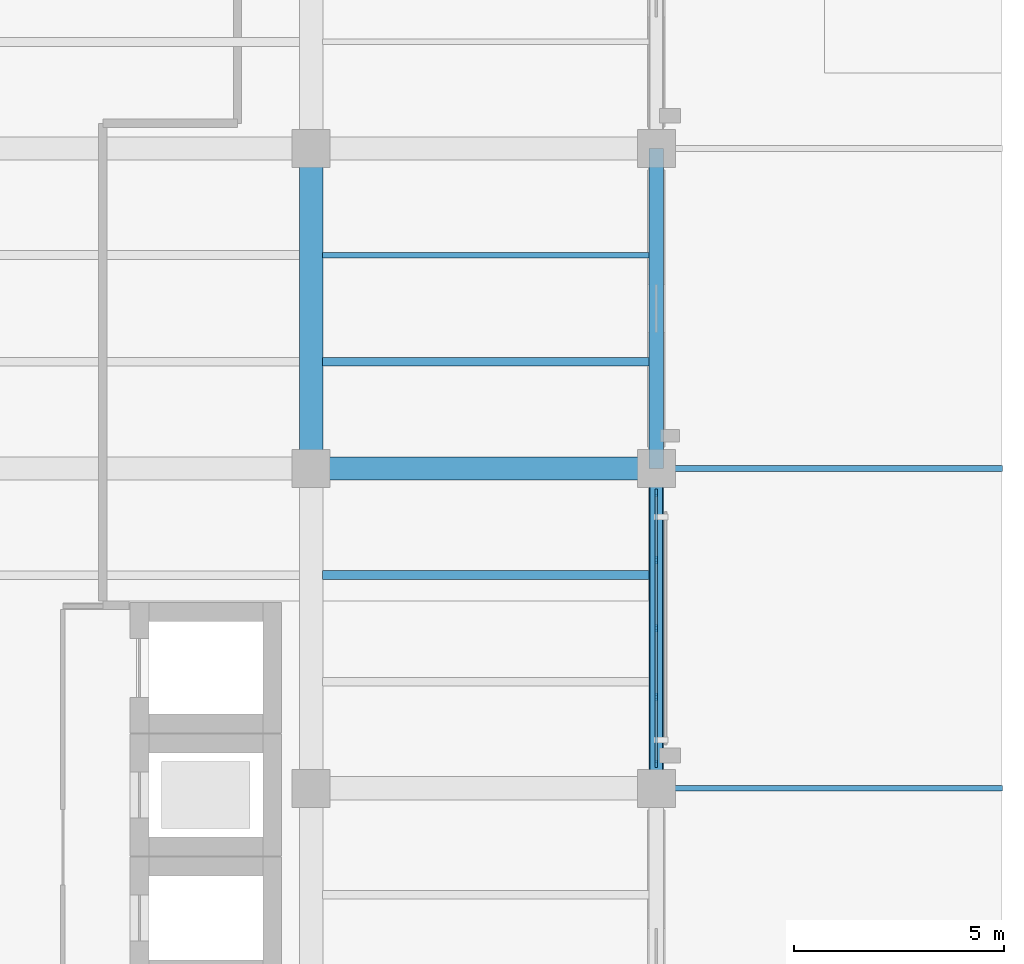
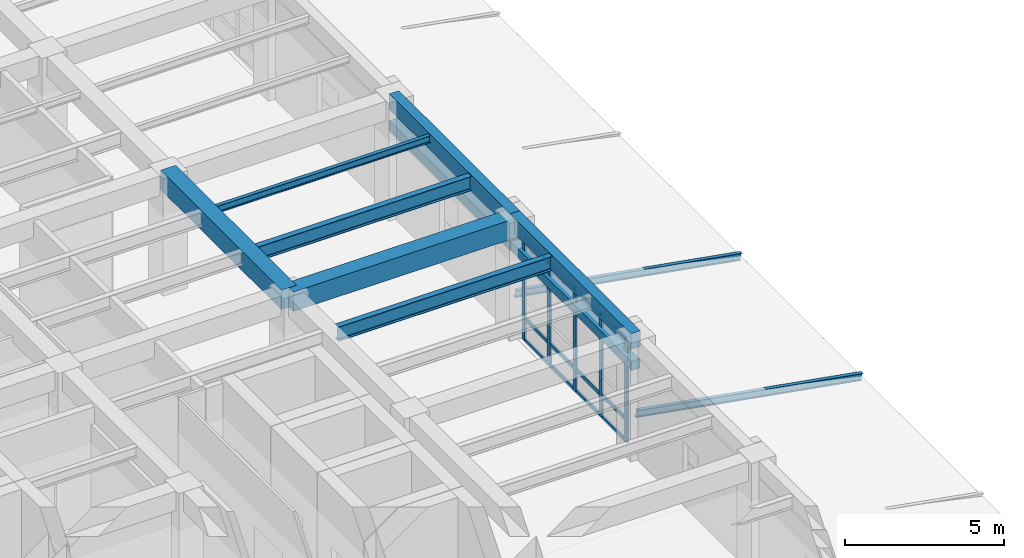
# One storey, part 21 of 57: 19 members, 9 beams, 1 element without a shape of its own.
"""IFC4 building model written with IfcOpenShell, lengths in metres."""

from ifc_helpers import new_model, si_unit, direction, frame, origin, origin_2d, place, context, subcontext, project, spatial, rectangle, i_section, extrude, material, material_profile, profile_set, type_object, element, aggregate, save


model = new_model("IFC4")

# Units and contexts
model_context = context("Model", 3, precision=1e-05, world=origin(), true_north=direction((0.0, 1.0)))
body_context = subcontext(model_context, "Body", "Model", "MODEL_VIEW")
ifc_project = project(units=[si_unit("LENGTHUNIT", "METRE"), si_unit("AREAUNIT", "SQUARE_METRE"), si_unit("VOLUMEUNIT", "CUBIC_METRE"), si_unit("PLANEANGLEUNIT", "RADIAN"), si_unit("MASSUNIT", "GRAM", prefix="KILO")], contexts=[model_context])

# Site, building, storey
site_placement = place(None, origin())
site = spatial("IfcSite", under=ifc_project, at=site_placement, CompositionType="ELEMENT")
building_placement = place(site_placement, origin())
building = spatial("IfcBuilding", under=site, at=building_placement, Name="Qandaris Square Conservatory and Botanical Centre", CompositionType="ELEMENT")
storey_placement = place(building_placement, frame((0.0, 0.0, 5.39990234375)))
storey = spatial("IfcBuildingStorey", under=building, at=storey_placement, Name="L01", CompositionType="ELEMENT", Elevation=5.39990234375)

# Curtain wall, members
ifc_material_1 = material(Name="Anodised Aluminium", Category="aluminium")
curtain_wall_type = type_object("IfcCurtainWallType", Name="Unitised Curtain Wall CW-4-650x394", PredefinedType="USERDEFINED", material=ifc_material_1)
curtain_wall_placement = place(storey_placement, origin())
curtain_wall = element("IfcCurtainWall", 1, at=curtain_wall_placement, inside=storey, type_object=curtain_wall_type, Name="Curtain Wall CW-TWR-L01-2-3", ObjectType="GLAZED CURTAIN WALL", PredefinedType="USERDEFINED")
ifc_material_profile_1 = material_profile(ifc_material_1, rectangle(XDim=0.06494140625, YDim=0.179931640625, at=origin_2d()), Name="ALU-MUL 65x180")
ifc_profile_set_1 = profile_set([ifc_material_profile_1], Name="Anodised Aluminium")
member_type_1 = type_object("IfcMemberType", Name="Curtain Wall Mullion 65x180", PredefinedType="MULLION", material=ifc_profile_set_1)
member_1_placement = place(storey_placement, frame((163.800048828125, 32.382568359375, 0.0), z_axis=(0.0, 0.0, 1.0), x_axis=(-1.0, 0.0, 0.0)))
member_1 = element("IfcMember", 2, at=member_1_placement, type_object=member_type_1, Name="CW-4-650x394 mullion 1", PredefinedType="MULLION", context=body_context, shape_type="SweptSolid", body=[
    extrude(rectangle(XDim=0.06494140625, YDim=0.179931640625, at=origin_2d()), origin(), (0.0, 0.0, 1.0), 3.945068359375),
])
member_2_placement = place(storey_placement, frame((163.800048828125, 33.97509765625, 0.0), z_axis=(0.0, 0.0, 1.0), x_axis=(-1.0, 0.0, 0.0)))
member_2 = element("IfcMember", 3, at=member_2_placement, type_object=member_type_1, Name="CW-4-650x394 mullion 2", PredefinedType="MULLION", context=body_context, shape_type="SweptSolid", body=[
    extrude(rectangle(XDim=0.06494140625, YDim=0.179931640625, at=origin_2d()), origin(), (0.0, 0.0, 1.0), 3.945068359375),
])
member_3_placement = place(storey_placement, frame((163.800048828125, 35.60009765625, 0.0), z_axis=(0.0, 0.0, 1.0), x_axis=(-1.0, 0.0, 0.0)))
member_3 = element("IfcMember", 4, at=member_3_placement, type_object=member_type_1, Name="CW-4-650x394 mullion 3", PredefinedType="MULLION", context=body_context, shape_type="SweptSolid", body=[
    extrude(rectangle(XDim=0.06494140625, YDim=0.179931640625, at=origin_2d()), origin(), (0.0, 0.0, 1.0), 3.945068359375),
])
member_4_placement = place(storey_placement, frame((163.800048828125, 37.22509765625, 0.0), z_axis=(0.0, 0.0, 1.0), x_axis=(-1.0, 0.0, 0.0)))
member_4 = element("IfcMember", 5, at=member_4_placement, type_object=member_type_1, Name="CW-4-650x394 mullion 4", PredefinedType="MULLION", context=body_context, shape_type="SweptSolid", body=[
    extrude(rectangle(XDim=0.06494140625, YDim=0.179931640625, at=origin_2d()), origin(), (0.0, 0.0, 1.0), 3.945068359375),
])
member_5_placement = place(storey_placement, frame((163.800048828125, 38.8173828125, 0.0), z_axis=(0.0, 0.0, 1.0), x_axis=(-1.0, 0.0, 0.0)))
member_5 = element("IfcMember", 6, at=member_5_placement, type_object=member_type_1, Name="CW-4-650x394 mullion 5", PredefinedType="MULLION", context=body_context, shape_type="SweptSolid", body=[
    extrude(rectangle(XDim=0.06494140625, YDim=0.179931640625, at=origin_2d()), origin(), (0.0, 0.0, 1.0), 3.945068359375),
])
ifc_material_profile_2 = material_profile(ifc_material_1, rectangle(XDim=0.06494140625, YDim=0.139892578125, at=origin_2d()), Name="ALU-TRN 65x140")
ifc_profile_set_2 = profile_set([ifc_material_profile_2], Name="Anodised Aluminium")
member_type_2 = type_object("IfcMemberType", Name="Curtain Wall Transom 65x140", PredefinedType="USERDEFINED", material=ifc_profile_set_2)
member_6_placement = place(storey_placement, frame((163.800048828125, 32.4150390625, 0.03271484375), z_axis=(0.0, 1.0, 0.0), x_axis=(-1.0, 0.0, 0.0)))
member_6 = element("IfcMember", 7, at=member_6_placement, type_object=member_type_2, Name="CW-4-650x394 transom 1.1", ObjectType="TRANSOM", PredefinedType="USERDEFINED", context=body_context, shape_type="SweptSolid", body=[
    extrude(rectangle(XDim=0.06494140625, YDim=0.139892578125, at=origin_2d()), origin(), (0.0, 0.0, 1.0), 1.52734375),
])
member_7_placement = place(storey_placement, frame((163.800048828125, 32.4150390625, 0.85009765625), z_axis=(0.0, 1.0, 0.0), x_axis=(-1.0, 0.0, 0.0)))
member_7 = element("IfcMember", 8, at=member_7_placement, type_object=member_type_2, Name="CW-4-650x394 transom 1.2", ObjectType="TRANSOM", PredefinedType="USERDEFINED", context=body_context, shape_type="SweptSolid", body=[
    extrude(rectangle(XDim=0.06494140625, YDim=0.139892578125, at=origin_2d()), origin(), (0.0, 0.0, 1.0), 1.52734375),
])
member_8_placement = place(storey_placement, frame((163.800048828125, 32.4150390625, 3.91259765625), z_axis=(0.0, 1.0, 0.0), x_axis=(-1.0, 0.0, 0.0)))
member_8 = element("IfcMember", 9, at=member_8_placement, type_object=member_type_2, Name="CW-4-650x394 transom 1.3", ObjectType="TRANSOM", PredefinedType="USERDEFINED", context=body_context, shape_type="SweptSolid", body=[
    extrude(rectangle(XDim=0.06494140625, YDim=0.139892578125, at=origin_2d()), origin(), (0.0, 0.0, 1.0), 1.52734375),
])
member_9_placement = place(storey_placement, frame((163.800048828125, 34.007568359375, 0.03271484375), z_axis=(0.0, 1.0, 0.0), x_axis=(-1.0, 0.0, 0.0)))
member_9 = element("IfcMember", 10, at=member_9_placement, type_object=member_type_2, Name="CW-4-650x394 transom 2.1", ObjectType="TRANSOM", PredefinedType="USERDEFINED", context=body_context, shape_type="SweptSolid", body=[
    extrude(rectangle(XDim=0.06494140625, YDim=0.139892578125, at=origin_2d()), origin(), (0.0, 0.0, 1.0), 1.559814453125),
])
member_10_placement = place(storey_placement, frame((163.800048828125, 34.007568359375, 0.85009765625), z_axis=(0.0, 1.0, 0.0), x_axis=(-1.0, 0.0, 0.0)))
member_10 = element("IfcMember", 11, at=member_10_placement, type_object=member_type_2, Name="CW-4-650x394 transom 2.2", ObjectType="TRANSOM", PredefinedType="USERDEFINED", context=body_context, shape_type="SweptSolid", body=[
    extrude(rectangle(XDim=0.06494140625, YDim=0.139892578125, at=origin_2d()), origin(), (0.0, 0.0, 1.0), 1.559814453125),
])
member_11_placement = place(storey_placement, frame((163.800048828125, 34.007568359375, 3.91259765625), z_axis=(0.0, 1.0, 0.0), x_axis=(-1.0, 0.0, 0.0)))
member_11 = element("IfcMember", 12, at=member_11_placement, type_object=member_type_2, Name="CW-4-650x394 transom 2.3", ObjectType="TRANSOM", PredefinedType="USERDEFINED", context=body_context, shape_type="SweptSolid", body=[
    extrude(rectangle(XDim=0.06494140625, YDim=0.139892578125, at=origin_2d()), origin(), (0.0, 0.0, 1.0), 1.559814453125),
])
member_12_placement = place(storey_placement, frame((163.800048828125, 35.632568359375, 0.03271484375), z_axis=(0.0, 1.0, 0.0), x_axis=(-1.0, 0.0, 0.0)))
member_12 = element("IfcMember", 13, at=member_12_placement, type_object=member_type_2, Name="CW-4-650x394 transom 3.1", ObjectType="TRANSOM", PredefinedType="USERDEFINED", context=body_context, shape_type="SweptSolid", body=[
    extrude(rectangle(XDim=0.06494140625, YDim=0.139892578125, at=origin_2d()), origin(), (0.0, 0.0, 1.0), 1.559814453125),
])
member_13_placement = place(storey_placement, frame((163.800048828125, 35.632568359375, 0.85009765625), z_axis=(0.0, 1.0, 0.0), x_axis=(-1.0, 0.0, 0.0)))
member_13 = element("IfcMember", 14, at=member_13_placement, type_object=member_type_2, Name="CW-4-650x394 transom 3.2", ObjectType="TRANSOM", PredefinedType="USERDEFINED", context=body_context, shape_type="SweptSolid", body=[
    extrude(rectangle(XDim=0.06494140625, YDim=0.139892578125, at=origin_2d()), origin(), (0.0, 0.0, 1.0), 1.559814453125),
])
member_14_placement = place(storey_placement, frame((163.800048828125, 35.632568359375, 3.91259765625), z_axis=(0.0, 1.0, 0.0), x_axis=(-1.0, 0.0, 0.0)))
member_14 = element("IfcMember", 15, at=member_14_placement, type_object=member_type_2, Name="CW-4-650x394 transom 3.3", ObjectType="TRANSOM", PredefinedType="USERDEFINED", context=body_context, shape_type="SweptSolid", body=[
    extrude(rectangle(XDim=0.06494140625, YDim=0.139892578125, at=origin_2d()), origin(), (0.0, 0.0, 1.0), 1.559814453125),
])
member_15_placement = place(storey_placement, frame((163.800048828125, 37.257568359375, 0.03271484375), z_axis=(0.0, 1.0, 0.0), x_axis=(-1.0, 0.0, 0.0)))
member_15 = element("IfcMember", 16, at=member_15_placement, type_object=member_type_2, Name="CW-4-650x394 transom 4.1", ObjectType="TRANSOM", PredefinedType="USERDEFINED", context=body_context, shape_type="SweptSolid", body=[
    extrude(rectangle(XDim=0.06494140625, YDim=0.139892578125, at=origin_2d()), origin(), (0.0, 0.0, 1.0), 1.52734375),
])
member_16_placement = place(storey_placement, frame((163.800048828125, 37.257568359375, 0.85009765625), z_axis=(0.0, 1.0, 0.0), x_axis=(-1.0, 0.0, 0.0)))
member_16 = element("IfcMember", 17, at=member_16_placement, type_object=member_type_2, Name="CW-4-650x394 transom 4.2", ObjectType="TRANSOM", PredefinedType="USERDEFINED", context=body_context, shape_type="SweptSolid", body=[
    extrude(rectangle(XDim=0.06494140625, YDim=0.139892578125, at=origin_2d()), origin(), (0.0, 0.0, 1.0), 1.52734375),
])
member_17_placement = place(storey_placement, frame((163.800048828125, 37.257568359375, 3.91259765625), z_axis=(0.0, 1.0, 0.0), x_axis=(-1.0, 0.0, 0.0)))
member_17 = element("IfcMember", 18, at=member_17_placement, type_object=member_type_2, Name="CW-4-650x394 transom 4.3", ObjectType="TRANSOM", PredefinedType="USERDEFINED", context=body_context, shape_type="SweptSolid", body=[
    extrude(rectangle(XDim=0.06494140625, YDim=0.139892578125, at=origin_2d()), origin(), (0.0, 0.0, 1.0), 1.52734375),
])
aggregate(curtain_wall, [member_1, member_2, member_3, member_4, member_5, member_6, member_7, member_8, member_9, member_10, member_11, member_12, member_13, member_14, member_15, member_16, member_17])

# Beams
ifc_material_2 = material(Name="Steel S355", Category="steel")
ifc_material_profile_3 = material_profile(ifc_material_2, i_section(OverallWidth=0.2099609375, OverallDepth=0.550048828125, WebThickness=0.010986328125, FlangeThickness=0.01708984375, FilletRadius=0.02392578125, at=origin_2d()), Name="IPE 550")
ifc_profile_set_3 = profile_set([ifc_material_profile_3], Name="Steel S355")
beam_type_1 = type_object("IfcBeamType", Name="Long-Span Foyer Joist IPE 550", PredefinedType="JOIST", material=ifc_profile_set_3)
for number, where, z_axis, x_axis, name in (
    (19, (155.875, 36.86669921875, 4.235107421875), (1.0, 0.0, 0.0), (0.0, 1.0, 0.0), "L01 Composite Joist 1272"),
    (20, (155.875, 41.933349609375, 4.235107421875), (1.0, 0.0, 0.0), (0.0, 1.0, 0.0), "L01 Composite Joist 1273"),
):
    element("IfcBeam", number, at=place(storey_placement, frame(where, z_axis=z_axis, x_axis=x_axis)), inside=storey, type_object=beam_type_1, Name=name, PredefinedType="JOIST", context=body_context, shape_type="SweptSolid", body=[
        extrude(i_section(OverallWidth=0.2099609375, OverallDepth=0.550048828125, WebThickness=0.010986328125, FlangeThickness=0.01708984375, FilletRadius=0.02392578125, at=origin_2d()), origin(), (0.0, 0.0, 1.0), 7.75),
    ])
ifc_material_3 = material(Name="Precast concrete C40/50", Category="concrete")
ifc_material_profile_4 = material_profile(ifc_material_3, rectangle(XDim=0.300048828125, YDim=0.35009765625, at=origin_2d()), Name="RC-LN 300x350")
ifc_profile_set_4 = profile_set([ifc_material_profile_4], Name="Precast concrete C40/50")
beam_type_2 = type_object("IfcBeamType", Name="Precast Opening Lintel 300x350", PredefinedType="LINTEL", material=ifc_profile_set_4)
beam_1_placement = place(storey_placement, frame((163.800048828125, 31.800048828125, 3.295166015625), z_axis=(0.0, 1.0, 0.0), x_axis=(-1.0, 0.0, 0.0)))
element("IfcBeam", 21, at=beam_1_placement, inside=storey, type_object=beam_type_2, Name="Precast Lintel 016", PredefinedType="LINTEL", context=body_context, shape_type="SweptSolid", body=[
    extrude(rectangle(XDim=0.300048828125, YDim=0.35009765625, at=origin_2d()), origin(), (0.0, 0.0, 1.0), 7.599853515625),
])
ifc_material_profile_5 = material_profile(ifc_material_3, rectangle(XDim=0.35009765625, YDim=0.39990234375, at=origin_2d()), Name="RC-LN 350x400")
ifc_profile_set_5 = profile_set([ifc_material_profile_5], Name="Precast concrete C40/50")
beam_type_3 = type_object("IfcBeamType", Name="Precast Opening Lintel 350x400", PredefinedType="LINTEL", material=ifc_profile_set_5)
beam_2_placement = place(storey_placement, frame((163.800048828125, 39.39990234375, 3.320068359375), z_axis=(0.0, 1.0, 0.0), x_axis=(-1.0, 0.0, 0.0)))
element("IfcBeam", 22, at=beam_2_placement, inside=storey, type_object=beam_type_3, Name="Precast Lintel 017", PredefinedType="LINTEL", context=body_context, shape_type="SweptSolid", body=[
    extrude(rectangle(XDim=0.35009765625, YDim=0.39990234375, at=origin_2d()), origin(), (0.0, 0.0, 1.0), 7.60009765625),
])
ifc_material_4 = material(Name="Concrete C50/60", Category="concrete")
ifc_material_profile_6 = material_profile(ifc_material_4, rectangle(XDim=0.35009765625, YDim=0.60009765625, at=origin_2d()), Name="RC-SP 350x600")
ifc_profile_set_6 = profile_set([ifc_material_profile_6], Name="Concrete C50/60")
beam_type_4 = type_object("IfcBeamType", Name="RC Edge Spandrel Beam 350x600", PredefinedType="SPANDREL", material=ifc_profile_set_6)
beam_3_placement = place(storey_placement, frame((163.800048828125, 31.800048828125, 4.2451171875), z_axis=(0.0, 1.0, 0.0), x_axis=(-1.0, 0.0, 0.0)))
element("IfcBeam", 23, at=beam_3_placement, inside=storey, type_object=beam_type_4, Name="L01 Frame Beam 1145", PredefinedType="SPANDREL", context=body_context, shape_type="SweptSolid", body=[
    extrude(rectangle(XDim=0.35009765625, YDim=0.60009765625, at=origin_2d()), origin(), (0.0, 0.0, 1.0), 7.599853515625),
])
beam_4_placement = place(storey_placement, frame((163.800048828125, 39.39990234375, 4.2451171875), z_axis=(0.0, 1.0, 0.0), x_axis=(-1.0, 0.0, 0.0)))
element("IfcBeam", 24, at=beam_4_placement, inside=storey, type_object=beam_type_4, Name="L01 Frame Beam 1146", PredefinedType="SPANDREL", context=body_context, shape_type="SweptSolid", body=[
    extrude(rectangle(XDim=0.35009765625, YDim=0.60009765625, at=origin_2d()), origin(), (0.0, 0.0, 1.0), 7.60009765625),
])
ifc_material_profile_7 = material_profile(ifc_material_4, rectangle(XDim=0.550048828125, YDim=0.75, at=origin_2d()), Name="RC-BM 550x750")
ifc_profile_set_7 = profile_set([ifc_material_profile_7], Name="Concrete C50/60")
beam_type_5 = type_object("IfcBeamType", Name="RC Plinth Girder 550x750", PredefinedType="BEAM", material=ifc_profile_set_7)
beam_5_placement = place(storey_placement, frame((155.60009765625, 39.39990234375, 4.14501953125), z_axis=(1.0, 0.0, 0.0), x_axis=(0.0, 1.0, 0.0)))
element("IfcBeam", 25, at=beam_5_placement, inside=storey, type_object=beam_type_5, Name="L01 Frame Beam 0946", PredefinedType="BEAM", context=body_context, shape_type="SweptSolid", body=[
    extrude(rectangle(XDim=0.550048828125, YDim=0.75, at=origin_2d()), origin(), (0.0, 0.0, 1.0), 8.199951171875),
])
beam_6_placement = place(storey_placement, frame((155.60009765625, 39.39990234375, 4.14501953125), z_axis=(0.0, 1.0, 0.0), x_axis=(-1.0, 0.0, 0.0)))
element("IfcBeam", 26, at=beam_6_placement, inside=storey, type_object=beam_type_5, Name="L01 Frame Beam 1134", PredefinedType="BEAM", context=body_context, shape_type="SweptSolid", body=[
    extrude(rectangle(XDim=0.550048828125, YDim=0.75, at=origin_2d()), origin(), (0.0, 0.0, 1.0), 7.60009765625),
])
ifc_material_profile_8 = material_profile(ifc_material_2, i_section(OverallWidth=0.135009765625, OverallDepth=0.27001953125, WebThickness=0.006591796875, FlangeThickness=0.01025390625, FilletRadius=0.014892578125, at=origin_2d()), Name="IPE 270")
ifc_profile_set_8 = profile_set([ifc_material_profile_8], Name="Steel S355")
beam_type_6 = type_object("IfcBeamType", Name="Steel Floor Joist IPE 270", PredefinedType="JOIST", material=ifc_profile_set_8)
beam_7_placement = place(storey_placement, frame((155.875, 44.466796875, 4.375), z_axis=(1.0, 0.0, 0.0), x_axis=(0.0, 1.0, 0.0)))
element("IfcBeam", 27, at=beam_7_placement, inside=storey, type_object=beam_type_6, Name="L01 Composite Joist 1274", PredefinedType="JOIST", context=body_context, shape_type="SweptSolid", body=[
    extrude(i_section(OverallWidth=0.135009765625, OverallDepth=0.27001953125, WebThickness=0.006591796875, FlangeThickness=0.01025390625, FilletRadius=0.014892578125, at=origin_2d()), origin(), (0.0, 0.0, 1.0), 7.75),
])

# Members
ifc_material_profile_9 = material_profile(ifc_material_2, i_section(OverallWidth=0.135009765625, OverallDepth=0.27001953125, WebThickness=0.006591796875, FlangeThickness=0.01025390625, FilletRadius=0.014892578125, at=origin_2d()), Name="IPE 270")
ifc_profile_set_9 = profile_set([ifc_material_profile_9], Name="Steel S355")
member_type_3 = type_object("IfcMemberType", Name="Visitor Wing Prairie Rafter IPE 270", PredefinedType="RAFTER", material=ifc_profile_set_9)
for number, where, z_axis, x_axis, name in (
    (28, (172.0, 31.800048828125, 0.0), (-0.984924346364, 0.0, 0.172985640849), (0.0, -1.0, 0.0), "Colonnade East Rafter 039"),
    (29, (172.0, 39.39990234375, 0.0), (-0.984924346364, 0.0, 0.172985640849), (0.0, -1.0, 0.0), "Colonnade East Rafter 041"),
):
    element("IfcMember", number, at=place(storey_placement, frame(where, z_axis=z_axis, x_axis=x_axis)), inside=storey, type_object=member_type_3, Name=name, PredefinedType="RAFTER", context=body_context, shape_type="SweptSolid", body=[
        extrude(i_section(OverallWidth=0.135009765625, OverallDepth=0.27001953125, WebThickness=0.006591796875, FlangeThickness=0.01025390625, FilletRadius=0.014892578125, at=origin_2d()), origin(), (0.0, 0.0, 1.0), 8.325439453125),
    ])

save(model, "model.ifc")
